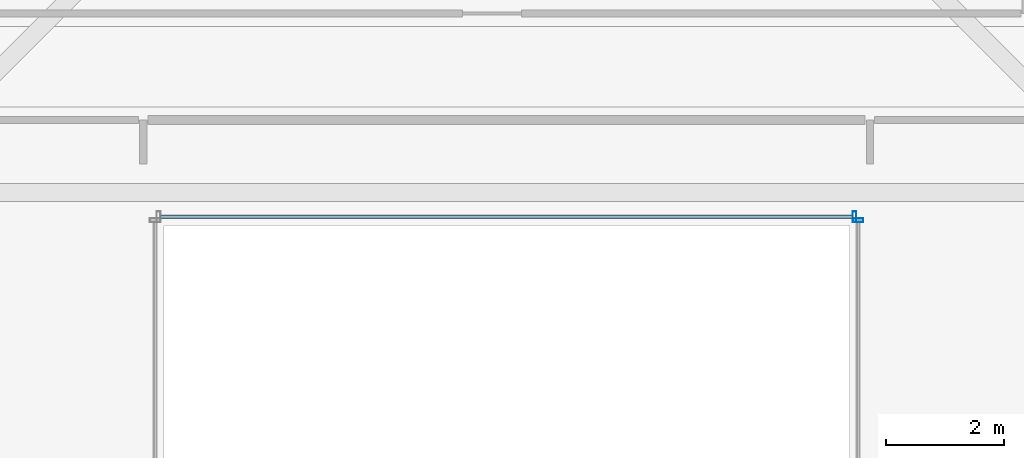
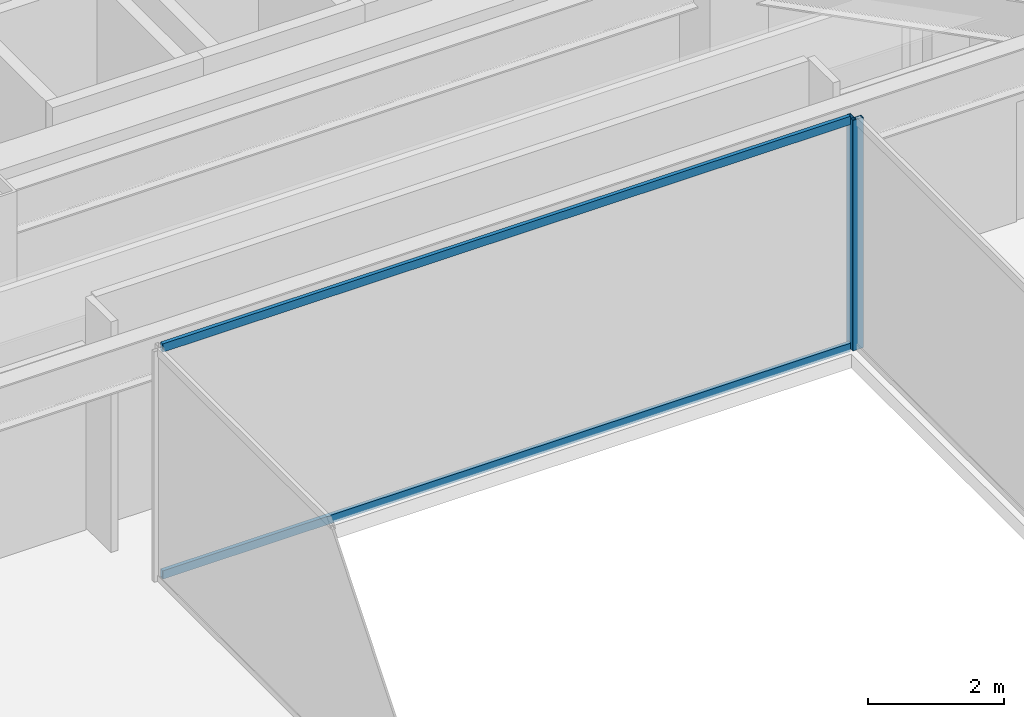
# One storey, part 17 of 35: 4 members, 2 elements without a shape of their own.
"""IFC4 building model written with IfcOpenShell, lengths in metres."""

from ifc_helpers import new_model, si_unit, direction, frame, origin, origin_2d, place, context, subcontext, project, spatial, hollow_rectangle, extrude, material, material_profile, profile_set, type_object, element, aggregate, save


model = new_model("IFC4")

# Units and contexts
model_context = context("Model", 3, precision=1e-05, world=origin(), true_north=direction((0.0, 1.0)))
body_context = subcontext(model_context, "Body", "Model", "MODEL_VIEW")
ifc_project = project(units=[si_unit("LENGTHUNIT", "METRE"), si_unit("AREAUNIT", "SQUARE_METRE"), si_unit("VOLUMEUNIT", "CUBIC_METRE"), si_unit("PLANEANGLEUNIT", "RADIAN"), si_unit("MASSUNIT", "GRAM", prefix="KILO")], contexts=[model_context])

# Site, building, storey
site_placement = place(None, origin())
site = spatial("IfcSite", under=ifc_project, at=site_placement, CompositionType="ELEMENT")
building_placement = place(site_placement, origin())
building = spatial("IfcBuilding", under=site, at=building_placement, Name="Saevonmaru Cultural Tower", CompositionType="ELEMENT")
storey_placement = place(building_placement, frame((0.0, 0.0, 101.60009765625)))
storey = spatial("IfcBuildingStorey", under=building, at=storey_placement, Name="L21", CompositionType="ELEMENT", Elevation=101.60009765625)

# Curtain wall, member
ifc_material = material(Name="Satin Bronze Anodised Aluminium", Category="aluminium")
curtain_wall_type = type_object("IfcCurtainWallType", Name="CW-ATR-GLZ", PredefinedType="NOTDEFINED", material=ifc_material)
curtain_wall_1_placement = place(storey_placement, origin())
curtain_wall_1 = element("IfcCurtainWall", 1, at=curtain_wall_1_placement, inside=storey, type_object=curtain_wall_type, Name="L21 Vertical Atrium Glazed Smoke Screen 2", PredefinedType="NOTDEFINED")
ifc_material_profile_1 = material_profile(ifc_material, hollow_rectangle(XDim=0.06494140625, YDim=0.179931640625, WallThickness=0.00390625, at=origin_2d()), Name="ALU-MULL-180x65x4")
ifc_profile_set_1 = profile_set([ifc_material_profile_1], Name="Satin Bronze Anodised Aluminium")
member_type_1 = type_object("IfcMemberType", Name="ML-CW-INT-180x65", PredefinedType="MULLION", material=ifc_profile_set_1)
member_1_placement = place(storey_placement, frame((35.949951171875, 37.64990234375, 0.0), z_axis=(0.0, 0.0, 1.0), x_axis=(0.0, 1.0, 0.0)))
member_1 = element("IfcMember", 2, at=member_1_placement, type_object=member_type_1, Name="CW-ATR-L21-2 mullion 3", PredefinedType="MULLION", context=body_context, shape_type="SweptSolid", body=[
    extrude(hollow_rectangle(XDim=0.06494140625, YDim=0.179931640625, WallThickness=0.00390625, at=origin_2d()), origin(), (0.0, 0.0, 1.0), 4.14990234375),
])
aggregate(curtain_wall_1, [member_1])

# Curtain wall, members
curtain_wall_2_placement = place(storey_placement, origin())
curtain_wall_2 = element("IfcCurtainWall", 3, at=curtain_wall_2_placement, inside=storey, type_object=curtain_wall_type, Name="L21 Vertical Atrium Glazed Smoke Screen 3", PredefinedType="NOTDEFINED")
member_2_placement = place(storey_placement, frame((35.889892578125, 37.7099609375, 0.0), z_axis=(0.0, 0.0, 1.0), x_axis=(-1.0, 0.0, 0.0)))
member_2 = element("IfcMember", 4, at=member_2_placement, type_object=member_type_1, Name="CW-ATR-L21-3 mullion 1", PredefinedType="MULLION", context=body_context, shape_type="SweptSolid", body=[
    extrude(hollow_rectangle(XDim=0.06494140625, YDim=0.179931640625, WallThickness=0.00390625, at=origin_2d()), origin(), (0.0, 0.0, 1.0), 4.14990234375),
])
ifc_material_profile_2 = material_profile(ifc_material, hollow_rectangle(XDim=0.06494140625, YDim=0.14990234375, WallThickness=0.00390625, at=origin_2d()), Name="ALU-TRAN-150x65x4")
ifc_profile_set_2 = profile_set([ifc_material_profile_2], Name="Satin Bronze Anodised Aluminium")
member_type_2 = type_object("IfcMemberType", Name="TR-CW-INT-150x65", PredefinedType="USERDEFINED", material=ifc_profile_set_2)
member_3_placement = place(storey_placement, frame((35.857421875, 37.7099609375, 0.032470703125), z_axis=(-1.0, 0.0, 0.0), x_axis=(0.0, -1.0, 0.0)))
member_3 = element("IfcMember", 5, at=member_3_placement, type_object=member_type_2, Name="CW-ATR-L21-3 transom 1.1", ObjectType="TRANSOM", PredefinedType="USERDEFINED", context=body_context, shape_type="SweptSolid", body=[
    extrude(hollow_rectangle(XDim=0.06494140625, YDim=0.14990234375, WallThickness=0.00390625, at=origin_2d()), origin(), (0.0, 0.0, 1.0), 11.71484375),
])
member_4_placement = place(storey_placement, frame((35.857421875, 37.7099609375, 4.117431640625), z_axis=(-1.0, 0.0, 0.0), x_axis=(0.0, -1.0, 0.0)))
member_4 = element("IfcMember", 6, at=member_4_placement, type_object=member_type_2, Name="CW-ATR-L21-3 transom 1.2", ObjectType="TRANSOM", PredefinedType="USERDEFINED", context=body_context, shape_type="SweptSolid", body=[
    extrude(hollow_rectangle(XDim=0.06494140625, YDim=0.14990234375, WallThickness=0.00390625, at=origin_2d()), origin(), (0.0, 0.0, 1.0), 11.71484375),
])
aggregate(curtain_wall_2, [member_2, member_3, member_4])

save(model, "model.ifc")
